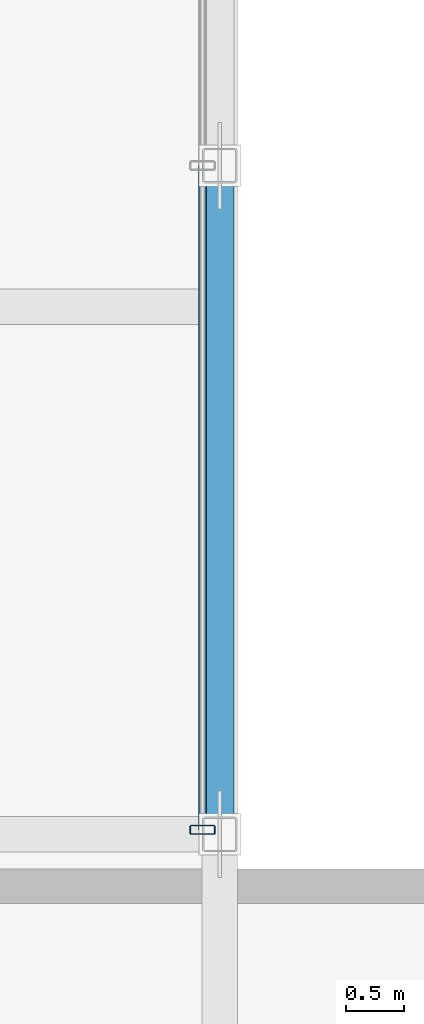
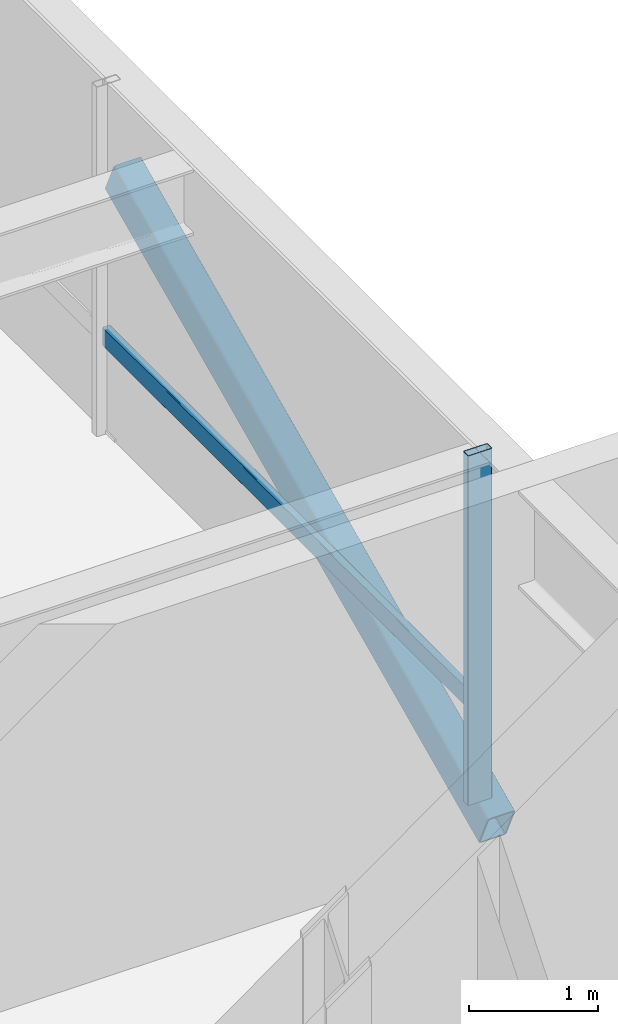
# One storey, part 8 of 36: 3 members, 1 element without a shape of its own.
"""IFC4 building model written with IfcOpenShell, lengths in metres."""

from ifc_helpers import new_model, si_unit, direction, frame, origin, origin_2d, place, context, subcontext, project, spatial, hollow_rectangle, extrude, material, layer, layer_set, material_profile, profile_set, type_object, element, aggregate, save


model = new_model("IFC4")

# Units and contexts
model_context = context("Model", 3, precision=1e-05, world=origin(), true_north=direction((0.0, 1.0)))
body_context = subcontext(model_context, "Body", "Model", "MODEL_VIEW")
ifc_project = project(units=[si_unit("LENGTHUNIT", "METRE"), si_unit("AREAUNIT", "SQUARE_METRE"), si_unit("VOLUMEUNIT", "CUBIC_METRE"), si_unit("PLANEANGLEUNIT", "RADIAN"), si_unit("MASSUNIT", "GRAM", prefix="KILO")], contexts=[model_context])

# Site, building, storey
site_placement = place(None, origin())
site = spatial("IfcSite", under=ifc_project, at=site_placement, CompositionType="ELEMENT")
building_placement = place(site_placement, origin())
building = spatial("IfcBuilding", under=site, at=building_placement, Name="Korimba Cascade Residences", CompositionType="ELEMENT")
storey_placement = place(building_placement, frame((0.0, 0.0, 139.300048828125)))
storey = spatial("IfcBuildingStorey", under=building, at=storey_placement, Name="L40", CompositionType="ELEMENT", Elevation=139.300048828125)

# Curtain wall, members
ifc_material_1 = material(Name="Anodised Aluminium Curtain Wall Framing", Category="aluminium")
ifc_layer = layer(ifc_material_1, 0.179931640625)
ifc_layer_set = layer_set([ifc_layer], Name="Anodised Aluminium Curtain Wall Framing")
curtain_wall_type = type_object("IfcCurtainWallType", Name="CW-BRG-SYS3", PredefinedType="NOTDEFINED", material=ifc_layer_set)
curtain_wall_placement = place(storey_placement, origin())
curtain_wall = element("IfcCurtainWall", 1, at=curtain_wall_placement, inside=storey, type_object=curtain_wall_type, Name="L40 Curtain Wall CW-L40-BRG-E", PredefinedType="NOTDEFINED")
ifc_material_2 = material(Name="Anodised Aluminium Mullion", Category="aluminium")
ifc_material_profile_1 = material_profile(ifc_material_2, hollow_rectangle(XDim=0.080078125, YDim=0.219970703125, WallThickness=0.00634765625, InnerFilletRadius=0.00634765625, OuterFilletRadius=0.0126953125, at=origin_2d()), Name="Anodised Aluminium Mullion")
ifc_profile_set_1 = profile_set([ifc_material_profile_1], Name="Anodised Aluminium Mullion")
member_type_1 = type_object("IfcMemberType", Name="CWM-MUL-220", PredefinedType="MULLION", material=ifc_profile_set_1)
member_1_placement = place(storey_placement, frame((111.949951171875, 33.139892578125, 0.0), z_axis=(0.0, 0.0, 1.0), x_axis=(0.0, 1.0, 0.0)))
member_1 = element("IfcMember", 2, at=member_1_placement, type_object=member_type_1, Name="CW-L40-BRG-E Mullion 1", PredefinedType="MULLION", context=body_context, shape_type="SweptSolid", body=[
    extrude(hollow_rectangle(XDim=0.080078125, YDim=0.219970703125, WallThickness=0.00634765625, InnerFilletRadius=0.00634765625, OuterFilletRadius=0.0126953125, at=origin_2d()), origin(), (0.0, 0.0, 1.0), 3.31005859375),
])
ifc_material_3 = material(Name="Anodised Aluminium Transom", Category="aluminium")
ifc_material_profile_2 = material_profile(ifc_material_3, hollow_rectangle(XDim=0.070068359375, YDim=0.179931640625, WallThickness=0.0048828125, InnerFilletRadius=0.0048828125, OuterFilletRadius=0.010009765625, at=origin_2d()), Name="Anodised Aluminium Transom")
ifc_profile_set_2 = profile_set([ifc_material_profile_2], Name="Anodised Aluminium Transom")
member_type_2 = type_object("IfcMemberType", Name="CWM-TRN-150", PredefinedType="USERDEFINED", material=ifc_profile_set_2)
member_2_placement = place(storey_placement, frame((111.949951171875, 33.139892578125, 0.89990234375), z_axis=(0.0, 1.0, 0.0), x_axis=(-1.0, 0.0, 0.0)))
member_2 = element("IfcMember", 3, at=member_2_placement, type_object=member_type_2, Name="CW-L40-BRG-E Transom 1", ObjectType="TRANSOM", PredefinedType="USERDEFINED", context=body_context, shape_type="SweptSolid", body=[
    extrude(hollow_rectangle(XDim=0.070068359375, YDim=0.179931640625, WallThickness=0.0048828125, InnerFilletRadius=0.0048828125, OuterFilletRadius=0.010009765625, at=origin_2d()), origin(), (0.0, 0.0, 1.0), 5.760009765625),
])
aggregate(curtain_wall, [member_1, member_2])

# Member
ifc_material_4 = material(Name="Steel S460", Category="steel")
ifc_material_profile_3 = material_profile(ifc_material_4, hollow_rectangle(XDim=0.25, YDim=0.35009765625, WallThickness=0.012451171875, InnerFilletRadius=0.012451171875, OuterFilletRadius=0.02490234375, at=origin_2d()), Name="Steel S460")
ifc_profile_set_3 = profile_set([ifc_material_profile_3], Name="Steel S460")
member_type_3 = type_object("IfcMemberType", Name="MEM-BRG-SHS350", PredefinedType="BRACE", material=ifc_profile_set_3)
member_3_placement = place(storey_placement, frame((112.10009765625, 33.10009765625, -0.2900390625), z_axis=(0.0, 0.90816738731, 0.418607210433), x_axis=(-1.0, 0.0, 0.0)))
element("IfcMember", 4, at=member_3_placement, inside=storey, type_object=member_type_3, Name="L40 Mid-Bridge Warren Diagonal E1", PredefinedType="BRACE", context=body_context, shape_type="SweptSolid", body=[
    extrude(hollow_rectangle(XDim=0.25, YDim=0.35009765625, WallThickness=0.012451171875, InnerFilletRadius=0.012451171875, OuterFilletRadius=0.02490234375, at=origin_2d()), origin(), (0.0, 0.0, 1.0), 6.38623046875),
])

save(model, "model.ifc")
